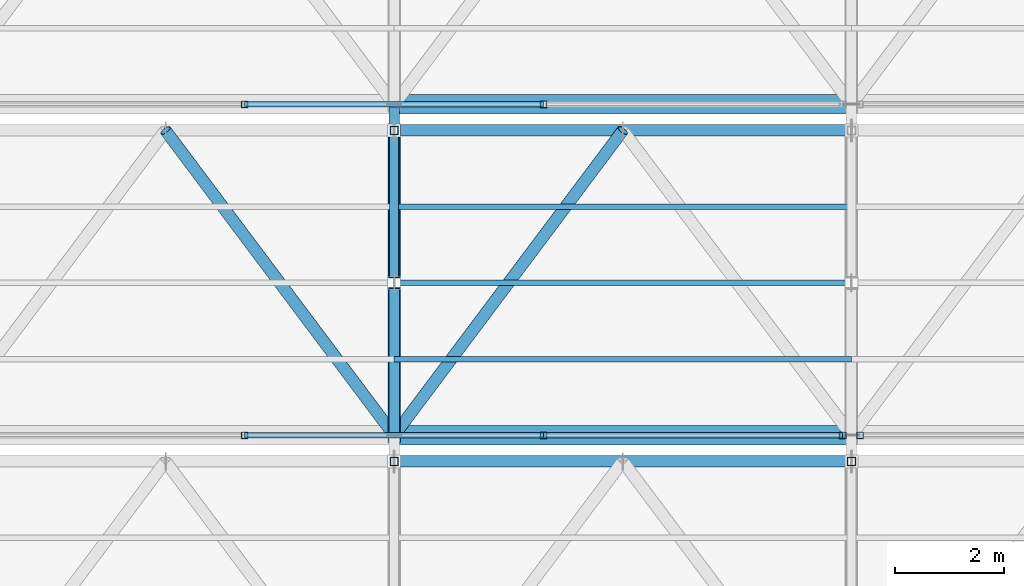
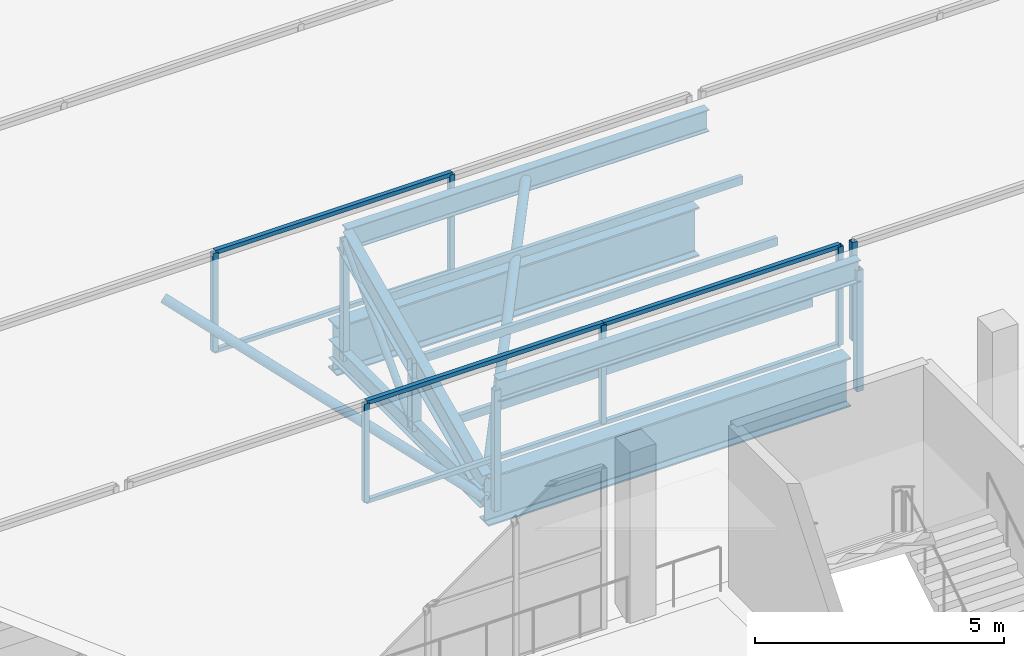
# One storey, part 83 of 217: 26 members, 2 beams, 3 elements without a shape of their own.
"""IFC4 building model written with IfcOpenShell, lengths in metres."""

import ifcopenshell
import ifcopenshell.guid

model = None  # the IFC model being written
_history = None  # IfcOwnerHistory: only IFC2X3 demands one
_inside = {}  # id of a spatial element -> (the spatial element, [elements in it])
_under = {}  # id of a project, library or spatial element -> (it, [spatial elements below it])
_declared = {}  # id of a project -> (the project, [libraries it declares])
_typed = {}  # id of a type object -> (the type object, [elements of that type])
_made_of = {}  # id of a material, layer set ... -> (it, [elements and type objects made of it])


def new_model(schema):
    """Start an empty IFC model of exactly this schema.

    Asked for "IFC4X3", IfcOpenShell would pick the latest addendum, in which some entities
    have other attributes; the version numbers below select the first issue.
    IFC2X3 requires an IfcOwnerHistory on every rooted entity: one is made here for all.
    """
    global model, _history
    if schema == "IFC4X3":
        model = ifcopenshell.file(schema_version=(4, 3, 0, 0))
    else:
        model = ifcopenshell.file(schema=schema)
    _inside.clear()
    _under.clear()
    _declared.clear()
    _typed.clear()
    _made_of.clear()
    _history = None
    if model.schema == "IFC2X3":
        org = make("IfcOrganization", Name="unknown")
        user = make(
            "IfcPersonAndOrganization",
            ThePerson=make("IfcPerson", FamilyName="unknown"),
            TheOrganization=org,
        )
        app = make(
            "IfcApplication",
            ApplicationDeveloper=org,
            Version="unknown",
            ApplicationFullName="unknown",
            ApplicationIdentifier="unknown",
        )
        _history = make(
            "IfcOwnerHistory",
            OwningUser=user,
            OwningApplication=app,
            ChangeAction="ADDED",
            CreationDate=0,
        )
    return model


def make(cls, **values):
    """One entity of the class cls with the attributes given. An attribute that is None is left unset."""
    return model.create_entity(
        cls, **{name: value for name, value in values.items() if value is not None}
    )


def rooted(cls, **values):
    """An entity with a GlobalId (a new one), such as an element, a storey or a relation."""
    return make(cls, GlobalId=ifcopenshell.guid.new(), OwnerHistory=_history, **values)


def si_unit(unit_type, name, prefix=None):
    """IfcSIUnit, for example si_unit("LENGTHUNIT", "METRE", prefix="MILLI")."""
    return make("IfcSIUnit", UnitType=unit_type, Prefix=prefix, Name=name)


def assignment(units):
    """IfcUnitAssignment: the units of a project."""
    return None if units is None else make("IfcUnitAssignment", Units=units)


def point(xyz):
    """IfcCartesianPoint."""
    return None if xyz is None else make("IfcCartesianPoint", Coordinates=xyz)


def direction(xyz):
    """IfcDirection."""
    return None if xyz is None else make("IfcDirection", DirectionRatios=xyz)


def frame(location, z_axis=None, x_axis=None):
    """IfcAxis2Placement3D, a coordinate frame: its origin and axes. An axis left out is left unset."""
    return make(
        "IfcAxis2Placement3D",
        Location=point(location),
        Axis=direction(z_axis),
        RefDirection=direction(x_axis),
    )


def frame_2d(location, x_axis=None):
    """IfcAxis2Placement2D, a coordinate frame in the plane: its origin and x axis."""
    return make(
        "IfcAxis2Placement2D", Location=point(location), RefDirection=direction(x_axis)
    )


def origin():
    """The frame at (0, 0, 0) with its axes left unset."""
    return frame((0.0, 0.0, 0.0))


def origin_2d():
    """The frame at (0, 0) in the plane with its x axis left unset."""
    return frame_2d((0.0, 0.0))


def place(relative_to, where):
    """IfcLocalPlacement: puts the frame where relative to a parent placement (None: the world)."""
    return make(
        "IfcLocalPlacement", PlacementRelTo=relative_to, RelativePlacement=where
    )


def context(
    kind, dimensions, precision=None, world=None, true_north=None, identifier=None
):
    """IfcGeometricRepresentationContext, for example the 3D "Model" context."""
    return make(
        "IfcGeometricRepresentationContext",
        ContextIdentifier=identifier,
        ContextType=kind,
        CoordinateSpaceDimension=dimensions,
        Precision=precision,
        WorldCoordinateSystem=world,
        TrueNorth=true_north,
    )


def subcontext(parent, identifier, kind, view, scale=None):
    """IfcGeometricRepresentationSubContext, for example "Body" below "Model"."""
    return make(
        "IfcGeometricRepresentationSubContext",
        ContextIdentifier=identifier,
        ContextType=kind,
        ParentContext=parent,
        TargetScale=scale,
        TargetView=view,
    )


def project(units=None, contexts=None):
    """IfcProject with its units and contexts."""
    return rooted(
        "IfcProject",
        Name="project",
        RepresentationContexts=contexts,
        UnitsInContext=assignment(units),
    )


def spatial(cls, under=None, at=None, **own):
    """A site, building, storey or space (cls), placed at a placement, below another one or the project."""
    s = rooted(cls, ObjectPlacement=at, **own)
    if under is not None:
        _under.setdefault(under.id(), (under, []))[1].append(s)
    return s


def profile(cls, at=None, kind="AREA", **sizes):
    """A parametric profile (cls). Its sizes go by their IFC names, for example OverallWidth=200.0."""
    return make(cls, ProfileType=kind, Position=at, **sizes)


def hollow_rectangle(**sizes):
    """IfcRectangleHollowProfileDef."""
    return profile("IfcRectangleHollowProfileDef", **sizes)


def hollow_circle(**sizes):
    """IfcCircleHollowProfileDef."""
    return profile("IfcCircleHollowProfileDef", **sizes)


def i_section(**sizes):
    """IfcIShapeProfileDef."""
    return profile("IfcIShapeProfileDef", **sizes)


def extrude(swept, where, along, depth):
    """IfcExtrudedAreaSolid: the profile swept, set in the frame where, extruded along a direction by depth."""
    return make(
        "IfcExtrudedAreaSolid",
        SweptArea=swept,
        Position=where,
        ExtrudedDirection=direction(along),
        Depth=depth,
    )


def shape(context_of_items, identifier, shape_type, items):
    """IfcShapeRepresentation: the items that make up one representation, for example the "Body"."""
    return make(
        "IfcShapeRepresentation",
        ContextOfItems=context_of_items,
        RepresentationIdentifier=identifier,
        RepresentationType=shape_type,
        Items=items,
    )


def material(Name=None, Category=None):
    """IfcMaterial."""
    return make("IfcMaterial", Name=Name, Category=Category)


def material_profile(
    of_material, cross_section, Name=None, Category=None, Priority=None
):
    """IfcMaterialProfile: a cross section and its material."""
    return make(
        "IfcMaterialProfile",
        Name=Name,
        Material=of_material,
        Profile=cross_section,
        Priority=Priority,
        Category=Category,
    )


def profile_set(profiles, Name=None, composite=None):
    """IfcMaterialProfileSet."""
    return make(
        "IfcMaterialProfileSet",
        Name=Name,
        MaterialProfiles=profiles,
        CompositeProfile=composite,
    )


def made_of(thing, what):
    """Note that an element or type object is made of a material, layer set ...; save() writes the relation."""
    if what is not None:
        _made_of.setdefault(what.id(), (what, []))[1].append(thing)
    return thing


def type_object(cls, material=None, **own):
    """A type object (cls), such as IfcWallType, which elements share."""
    return made_of(rooted(cls, **own), material)


def element(
    cls,
    number,
    at=None,
    inside=None,
    cuts=None,
    type_object=None,
    material=None,
    context=None,
    identifier="Body",
    shape_type=None,
    held_by="IfcProductDefinitionShape",
    body=None,
    shapes=None,
    **own,
):
    """One element of the class cls, such as IfcWall. Its Tag is "e" and its number.

    at: its placement. inside: the storey or other place that contains it. cuts: it is an
    opening in that element (IfcRelVoidsElement). A single representation is given by context,
    identifier, shape_type and body (its items); several are given by shapes. held_by: the class
    of the entity that holds the representations. save() writes the other relations.
    """
    e = rooted(cls, Tag="e%d" % number, ObjectPlacement=at, **own)
    if body is not None:
        shapes = [shape(context, identifier, shape_type, body)]
    if shapes is not None:
        e.Representation = make(held_by, Representations=shapes)
    if inside is not None:
        _inside.setdefault(inside.id(), (inside, []))[1].append(e)
    if cuts is not None:
        rooted(
            "IfcRelVoidsElement", RelatingBuildingElement=cuts, RelatedOpeningElement=e
        )
    if type_object is not None:
        _typed.setdefault(type_object.id(), (type_object, []))[1].append(e)
    return made_of(e, material)


def aggregate(whole, parts):
    """IfcRelAggregates: a whole, such as a stair, and the parts it consists of."""
    return rooted("IfcRelAggregates", RelatingObject=whole, RelatedObjects=parts)


def save(model, path):
    """Write the relations noted so far, then the file.

    IfcRelAggregates (storeys below a building ...), IfcRelContainedInSpatialStructure (elements
    in a storey), IfcRelDefinesByType, IfcRelAssociatesMaterial and IfcRelDeclares: one each for
    every whole, place, type object, material and project.
    """
    for whole, parts in _under.values():
        aggregate(whole, parts)
    for where, things in _inside.values():
        rooted(
            "IfcRelContainedInSpatialStructure",
            RelatedElements=things,
            RelatingStructure=where,
        )
    for kind, things in _typed.values():
        rooted("IfcRelDefinesByType", RelatedObjects=things, RelatingType=kind)
    for what, things in _made_of.values():
        rooted("IfcRelAssociatesMaterial", RelatedObjects=things, RelatingMaterial=what)
    for by, libraries in _declared.values():
        rooted("IfcRelDeclares", RelatingContext=by, RelatedDefinitions=libraries)
    model.write(path)


model = new_model("IFC4")

# Units and contexts
model_context = context("Model", 3, precision=1e-05, world=origin(), true_north=direction((0.0, 1.0)))
body_context = subcontext(model_context, "Body", "Model", "MODEL_VIEW")
ifc_project = project(units=[si_unit("LENGTHUNIT", "METRE"), si_unit("AREAUNIT", "SQUARE_METRE"), si_unit("VOLUMEUNIT", "CUBIC_METRE"), si_unit("PLANEANGLEUNIT", "RADIAN"), si_unit("MASSUNIT", "GRAM", prefix="KILO")], contexts=[model_context])

# Site, building, storey
site_placement = place(None, origin())
site = spatial("IfcSite", under=ifc_project, at=site_placement, CompositionType="ELEMENT")
building_placement = place(site_placement, origin())
building = spatial("IfcBuilding", under=site, at=building_placement, Name="Zuvorla Pavilion Media Centre", CompositionType="ELEMENT")
storey_placement = place(building_placement, frame((0.0, 0.0, 9.60009765625)))
storey = spatial("IfcBuildingStorey", under=building, at=storey_placement, Name="L02", CompositionType="ELEMENT", Elevation=9.60009765625)

# Beams
ifc_material_1 = material(Name="Steel S355", Category="steel")
ifc_material_profile_1 = material_profile(ifc_material_1, i_section(OverallWidth=0.360107421875, OverallDepth=1.199951171875, WebThickness=0.02001953125, FlangeThickness=0.0380859375, FilletRadius=0.02392578125, at=origin_2d()), Name="PG 1200x360x38")
ifc_profile_set_1 = profile_set([ifc_material_profile_1], Name="Steel S355")
beam_type = type_object("IfcBeamType", Name="BM-PG1200", PredefinedType="BEAM", material=ifc_profile_set_1)
for number, where, z_axis, x_axis, name in (
    (1, (92.0, 95.679931640625, -0.88818359375), (1.0, 0.0, 0.0), (0.0, 1.0, 0.0), "L02 beam B01 1786"),
    (2, (92.0, 101.760009765625, -0.88818359375), (1.0, 0.0, 0.0), (0.0, 1.0, 0.0), "L02 beam B01 1792"),
):
    element("IfcBeam", number, at=place(storey_placement, frame(where, z_axis=z_axis, x_axis=x_axis)), inside=storey, type_object=beam_type, Name=name, PredefinedType="BEAM", context=body_context, shape_type="SweptSolid", body=[
        extrude(i_section(OverallWidth=0.360107421875, OverallDepth=1.199951171875, WebThickness=0.02001953125, FlangeThickness=0.0380859375, FilletRadius=0.02392578125, at=origin_2d()), origin(), (0.0, 0.0, 1.0), 8.39990234375),
    ])

# Curtain wall, members
ifc_material_2 = material(Name="Unitised anodised aluminium and solar glass curtain wall", Category="aluminium")
curtain_wall_type = type_object("IfcCurtainWallType", Name="CW-SYS-88", PredefinedType="USERDEFINED", material=ifc_material_2)
curtain_wall_1_placement = place(storey_placement, origin())
curtain_wall_1 = element("IfcCurtainWall", 3, at=curtain_wall_1_placement, inside=storey, type_object=curtain_wall_type, Name="L02 curtain wall CW88 201", ObjectType="CURTAIN WALL", PredefinedType="USERDEFINED")
ifc_material_3 = material(Name="Anodised aluminium 6063-T6", Category="aluminium")
ifc_material_profile_2 = material_profile(ifc_material_3, hollow_rectangle(XDim=0.1201171875, YDim=0.1201171875, WallThickness=0.0048828125, at=origin_2d()), Name="ALU MULL 120x120")
ifc_profile_set_2 = profile_set([ifc_material_profile_2], Name="Anodised aluminium 6063-T6")
member_type_1 = type_object("IfcMemberType", Name="CW-MULL-120", PredefinedType="MULLION", material=ifc_profile_set_2)
member_1_placement = place(storey_placement, frame((89.25341796875, 95.679931640625, 0.0), z_axis=(0.0, 0.0, 1.0), x_axis=(1.0, 0.0, 0.0)))
member_1 = element("IfcMember", 4, at=member_1_placement, type_object=member_type_1, Name="CW88 mullion 2", PredefinedType="MULLION", context=body_context, shape_type="SweptSolid", body=[
    extrude(hollow_rectangle(XDim=0.1201171875, YDim=0.1201171875, WallThickness=0.0048828125, at=origin_2d()), origin(), (0.0, 0.0, 1.0), 2.419921875),
])
member_2_placement = place(storey_placement, frame((94.74658203125, 95.679931640625, 0.0), z_axis=(0.0, 0.0, 1.0), x_axis=(1.0, 0.0, 0.0)))
member_2 = element("IfcMember", 5, at=member_2_placement, type_object=member_type_1, Name="CW88 mullion 3", PredefinedType="MULLION", context=body_context, shape_type="SweptSolid", body=[
    extrude(hollow_rectangle(XDim=0.1201171875, YDim=0.1201171875, WallThickness=0.0048828125, at=origin_2d()), origin(), (0.0, 0.0, 1.0), 2.419921875),
])
member_3_placement = place(storey_placement, frame((100.239990234375, 95.679931640625, 0.0), z_axis=(0.0, 0.0, 1.0), x_axis=(1.0, 0.0, 0.0)))
member_3 = element("IfcMember", 6, at=member_3_placement, type_object=member_type_1, Name="CW88 mullion 4", PredefinedType="MULLION", context=body_context, shape_type="SweptSolid", body=[
    extrude(hollow_rectangle(XDim=0.1201171875, YDim=0.1201171875, WallThickness=0.0048828125, at=origin_2d()), origin(), (0.0, 0.0, 1.0), 2.419921875),
])

# Curtain wall, member
curtain_wall_2_placement = place(storey_placement, origin())
curtain_wall_2 = element("IfcCurtainWall", 7, at=curtain_wall_2_placement, inside=storey, type_object=curtain_wall_type, Name="L02 curtain wall CW88 202", ObjectType="CURTAIN WALL", PredefinedType="USERDEFINED")
member_4_placement = place(storey_placement, frame((100.56005859375, 95.679931640625, 0.0), z_axis=(0.0, 0.0, 1.0), x_axis=(1.0, 0.0, 0.0)))
member_4 = element("IfcMember", 8, at=member_4_placement, type_object=member_type_1, Name="CW88 mullion 1", PredefinedType="MULLION", context=body_context, shape_type="SweptSolid", body=[
    extrude(hollow_rectangle(XDim=0.1201171875, YDim=0.1201171875, WallThickness=0.0048828125, at=origin_2d()), origin(), (0.0, 0.0, 1.0), 2.419921875),
])
aggregate(curtain_wall_2, [member_4])

# Curtain wall, members
curtain_wall_3_placement = place(storey_placement, origin())
curtain_wall_3 = element("IfcCurtainWall", 9, at=curtain_wall_3_placement, inside=storey, type_object=curtain_wall_type, Name="L02 curtain wall CW88 205", ObjectType="CURTAIN WALL", PredefinedType="USERDEFINED")
member_5_placement = place(storey_placement, frame((89.25341796875, 101.760009765625, 0.0), z_axis=(0.0, 0.0, 1.0), x_axis=(1.0, 0.0, 0.0)))
member_5 = element("IfcMember", 10, at=member_5_placement, type_object=member_type_1, Name="CW88 mullion 2", PredefinedType="MULLION", context=body_context, shape_type="SweptSolid", body=[
    extrude(hollow_rectangle(XDim=0.1201171875, YDim=0.1201171875, WallThickness=0.0048828125, at=origin_2d()), origin(), (0.0, 0.0, 1.0), 2.419921875),
])
member_6_placement = place(storey_placement, frame((94.74658203125, 101.760009765625, 0.0), z_axis=(0.0, 0.0, 1.0), x_axis=(1.0, 0.0, 0.0)))
member_6 = element("IfcMember", 11, at=member_6_placement, type_object=member_type_1, Name="CW88 mullion 3", PredefinedType="MULLION", context=body_context, shape_type="SweptSolid", body=[
    extrude(hollow_rectangle(XDim=0.1201171875, YDim=0.1201171875, WallThickness=0.0048828125, at=origin_2d()), origin(), (0.0, 0.0, 1.0), 2.419921875),
])

# Member
ifc_material_profile_3 = material_profile(ifc_material_3, hollow_rectangle(XDim=0.10009765625, YDim=0.10009765625, WallThickness=0.00439453125, at=origin_2d()), Name="ALU TRAN 100x100")
ifc_profile_set_3 = profile_set([ifc_material_profile_3], Name="Anodised aluminium 6063-T6")
member_type_2 = type_object("IfcMemberType", Name="CW-TRAN-100", PredefinedType="USERDEFINED", material=ifc_profile_set_3)
member_7_placement = place(storey_placement, frame((89.25341796875, 95.679931640625, 0.0), z_axis=(1.0, 0.0, 0.0), x_axis=(0.0, 1.0, 0.0)))
member_7 = element("IfcMember", 12, at=member_7_placement, type_object=member_type_2, Name="CW88 transom 2.1", ObjectType="TRANSOM", PredefinedType="USERDEFINED", context=body_context, shape_type="SweptSolid", body=[
    extrude(hollow_rectangle(XDim=0.10009765625, YDim=0.10009765625, WallThickness=0.00439453125, at=origin_2d()), origin(), (0.0, 0.0, 1.0), 5.4931640625),
])

member_8_placement = place(storey_placement, frame((89.25341796875, 95.679931640625, 2.419921875), z_axis=(1.0, 0.0, 0.0), x_axis=(0.0, 1.0, 0.0)))
member_8 = element("IfcMember", 13, at=member_8_placement, type_object=member_type_2, Name="CW88 transom 2.2", ObjectType="TRANSOM", PredefinedType="USERDEFINED", context=body_context, shape_type="SweptSolid", body=[
    extrude(hollow_rectangle(XDim=0.10009765625, YDim=0.10009765625, WallThickness=0.00439453125, at=origin_2d()), origin(), (0.0, 0.0, 1.0), 5.4931640625),
])

member_9_placement = place(storey_placement, frame((94.74658203125, 95.679931640625, 0.0), z_axis=(1.0, 0.0, 0.0), x_axis=(0.0, 1.0, 0.0)))
member_9 = element("IfcMember", 14, at=member_9_placement, type_object=member_type_2, Name="CW88 transom 3.1", ObjectType="TRANSOM", PredefinedType="USERDEFINED", context=body_context, shape_type="SweptSolid", body=[
    extrude(hollow_rectangle(XDim=0.10009765625, YDim=0.10009765625, WallThickness=0.00439453125, at=origin_2d()), origin(), (0.0, 0.0, 1.0), 5.493408203125),
])

member_10_placement = place(storey_placement, frame((94.74658203125, 95.679931640625, 2.419921875), z_axis=(1.0, 0.0, 0.0), x_axis=(0.0, 1.0, 0.0)))
member_10 = element("IfcMember", 15, at=member_10_placement, type_object=member_type_2, Name="CW88 transom 3.2", ObjectType="TRANSOM", PredefinedType="USERDEFINED", context=body_context, shape_type="SweptSolid", body=[
    extrude(hollow_rectangle(XDim=0.10009765625, YDim=0.10009765625, WallThickness=0.00439453125, at=origin_2d()), origin(), (0.0, 0.0, 1.0), 5.493408203125),
])

aggregate(curtain_wall_1, [member_1, member_2, member_3, member_7, member_8, member_9, member_10])

member_11_placement = place(storey_placement, frame((89.25341796875, 101.760009765625, 0.0), z_axis=(1.0, 0.0, 0.0), x_axis=(0.0, 1.0, 0.0)))
member_11 = element("IfcMember", 16, at=member_11_placement, type_object=member_type_2, Name="CW88 transom 2.1", ObjectType="TRANSOM", PredefinedType="USERDEFINED", context=body_context, shape_type="SweptSolid", body=[
    extrude(hollow_rectangle(XDim=0.10009765625, YDim=0.10009765625, WallThickness=0.00439453125, at=origin_2d()), origin(), (0.0, 0.0, 1.0), 5.4931640625),
])

member_12_placement = place(storey_placement, frame((89.25341796875, 101.760009765625, 2.419921875), z_axis=(1.0, 0.0, 0.0), x_axis=(0.0, 1.0, 0.0)))
member_12 = element("IfcMember", 17, at=member_12_placement, type_object=member_type_2, Name="CW88 transom 2.2", ObjectType="TRANSOM", PredefinedType="USERDEFINED", context=body_context, shape_type="SweptSolid", body=[
    extrude(hollow_rectangle(XDim=0.10009765625, YDim=0.10009765625, WallThickness=0.00439453125, at=origin_2d()), origin(), (0.0, 0.0, 1.0), 5.4931640625),
])

aggregate(curtain_wall_3, [member_5, member_6, member_11, member_12])

# Members
ifc_material_profile_4 = material_profile(ifc_material_1, hollow_circle(Radius=0.084228515625, WallThickness=0.008056640625, at=origin_2d()), Name="CHS 168.3x8")
ifc_profile_set_4 = profile_set([ifc_material_profile_4], Name="Steel S355")
member_type_3 = type_object("IfcMemberType", Name="MEM-BRC-CHS168", PredefinedType="BRACE", material=ifc_profile_set_4)
member_13_placement = place(storey_placement, frame((92.0, 98.47998046875, -0.880126953125), z_axis=(0.0, 0.68676242614, 0.726881950555), x_axis=(-1.0, 0.0, 0.0)))
element("IfcMember", 18, at=member_13_placement, inside=storey, type_object=member_type_3, Name="L02 diagonal brace TB03 144", PredefinedType="BRACE", context=body_context, shape_type="SweptSolid", body=[
    extrude(hollow_circle(Radius=0.084228515625, WallThickness=0.008056640625, at=origin_2d()), origin(), (0.0, 0.0, 1.0), 4.0771484375),
])
ifc_material_profile_5 = material_profile(ifc_material_1, hollow_circle(Radius=0.109619140625, WallThickness=0.010009765625, at=origin_2d()), Name="CHS 219.1x10")
ifc_profile_set_5 = profile_set([ifc_material_profile_5], Name="Steel S355")
member_type_4 = type_object("IfcMemberType", Name="MEM-BRC-CHS219", PredefinedType="BRACE", material=ifc_profile_set_5)
for number, where, z_axis, x_axis, name in (
    (19, (87.800048828125, 101.280029296875, 2.08349609375), (0.552511596944, -0.736703540702, -0.389870271191), (0.800008370399, 0.599988839305, 0.0), "L02 diagonal brace TB02 185"),
    (20, (92.0, 95.679931640625, -0.880126953125), (0.552511596944, 0.736703540702, 0.389870271191), (-0.800008370399, 0.599988839305, 0.0), "L02 diagonal brace TB02 190"),
):
    element("IfcMember", number, at=place(storey_placement, frame(where, z_axis=z_axis, x_axis=x_axis)), inside=storey, type_object=member_type_4, Name=name, PredefinedType="BRACE", context=body_context, shape_type="SweptSolid", body=[
        extrude(hollow_circle(Radius=0.109619140625, WallThickness=0.010009765625, at=origin_2d()), origin(), (0.0, 0.0, 1.0), 7.6015625),
    ])
ifc_material_profile_6 = material_profile(ifc_material_1, i_section(OverallWidth=0.19140625, OverallDepth=0.4599609375, WebThickness=0.010009765625, FlangeThickness=0.01611328125, FilletRadius=0.01025390625, at=origin_2d()), Name="UB 457x191x82")
ifc_profile_set_6 = profile_set([ifc_material_profile_6], Name="Steel S355")
member_type_5 = type_object("IfcMemberType", Name="MEM-CHD-UB457", PredefinedType="CHORD", material=ifc_profile_set_6)
member_14_placement = place(storey_placement, frame((92.0, 95.679931640625, -0.880126953125), z_axis=(0.0, 1.0, 0.0), x_axis=(-1.0, 0.0, 0.0)))
element("IfcMember", 21, at=member_14_placement, inside=storey, type_object=member_type_5, Name="L02 chord TC03 141", PredefinedType="CHORD", context=body_context, shape_type="SweptSolid", body=[
    extrude(i_section(OverallWidth=0.19140625, OverallDepth=0.4599609375, WebThickness=0.010009765625, FlangeThickness=0.01611328125, FilletRadius=0.01025390625, at=origin_2d()), origin(), (0.0, 0.0, 1.0), 6.080078125),
])
ifc_material_profile_7 = material_profile(ifc_material_1, i_section(OverallWidth=0.2099609375, OverallDepth=0.53662109375, WebThickness=0.0107421875, FlangeThickness=0.017333984375, FilletRadius=0.0126953125, at=origin_2d()), Name="UB 533x210x101")
ifc_profile_set_7 = profile_set([ifc_material_profile_7], Name="Steel S355")
member_type_6 = type_object("IfcMemberType", Name="MEM-CHD-UB533", PredefinedType="CHORD", material=ifc_profile_set_7)
for number, where, z_axis, x_axis, name in (
    (22, (92.0, 95.199951171875, 2.08349609375), (1.0, 0.0, 0.0), (0.0, 1.0, 0.0), "L02 chord TC02 96"),
    (23, (92.0, 101.280029296875, 2.08349609375), (1.0, 0.0, 0.0), (0.0, 1.0, 0.0), "L02 chord TC02 189"),
):
    element("IfcMember", number, at=place(storey_placement, frame(where, z_axis=z_axis, x_axis=x_axis)), inside=storey, type_object=member_type_6, Name=name, PredefinedType="CHORD", context=body_context, shape_type="SweptSolid", body=[
        extrude(i_section(OverallWidth=0.2099609375, OverallDepth=0.53662109375, WebThickness=0.0107421875, FlangeThickness=0.017333984375, FilletRadius=0.0126953125, at=origin_2d()), origin(), (0.0, 0.0, 1.0), 8.39990234375),
    ])
ifc_material_profile_8 = material_profile(ifc_material_1, i_section(OverallWidth=0.22900390625, OverallDepth=0.6123046875, WebThickness=0.011962890625, FlangeThickness=0.01953125, FilletRadius=0.0126953125, at=origin_2d()), Name="UB 610x229x125")
ifc_profile_set_8 = profile_set([ifc_material_profile_8], Name="Steel S355")
member_type_7 = type_object("IfcMemberType", Name="MEM-CHD-UB610", PredefinedType="CHORD", material=ifc_profile_set_8)
member_15_placement = place(storey_placement, frame((92.0, 95.679931640625, -0.5166015625), z_axis=(0.0, 0.907005731366, 0.421118277053), x_axis=(-1.0, 0.0, 0.0)))
element("IfcMember", 24, at=member_15_placement, inside=storey, type_object=member_type_7, Name="L02 chord TC01 142", PredefinedType="CHORD", context=body_context, shape_type="SweptSolid", body=[
    extrude(i_section(OverallWidth=0.22900390625, OverallDepth=0.6123046875, WebThickness=0.011962890625, FlangeThickness=0.01953125, FilletRadius=0.0126953125, at=origin_2d()), origin(), (0.0, 0.0, 1.0), 6.17431640625),
])
ifc_material_profile_9 = material_profile(ifc_material_1, hollow_rectangle(XDim=0.10009765625, YDim=0.199951171875, WallThickness=0.008056640625, at=origin_2d()), Name="RHS 200x100x8")
ifc_profile_set_9 = profile_set([ifc_material_profile_9], Name="Steel S355")
member_type_8 = type_object("IfcMemberType", Name="MEM-PUR-RHS200", PredefinedType="PURLIN", material=ifc_profile_set_9)
for number, where, z_axis, x_axis, name in (
    (25, (92.0, 97.080078125, 0.133544921875), (1.0, 0.0, 0.0), (0.0, 1.0, 0.0), "L02 purlin PR01 192"),
    (26, (92.0, 98.47998046875, 0.783447265625), (1.0, 0.0, 0.0), (0.0, 1.0, 0.0), "L02 purlin PR01 193"),
    (27, (92.0, 99.8798828125, 1.43359375), (1.0, 0.0, 0.0), (0.0, 1.0, 0.0), "L02 purlin PR01 194"),
):
    element("IfcMember", number, at=place(storey_placement, frame(where, z_axis=z_axis, x_axis=x_axis)), inside=storey, type_object=member_type_8, Name=name, PredefinedType="PURLIN", context=body_context, shape_type="SweptSolid", body=[
        extrude(hollow_rectangle(XDim=0.10009765625, YDim=0.199951171875, WallThickness=0.008056640625, at=origin_2d()), origin(), (0.0, 0.0, 1.0), 8.39990234375),
    ])
ifc_material_profile_10 = material_profile(ifc_material_1, hollow_rectangle(XDim=0.14990234375, YDim=0.14990234375, WallThickness=0.008056640625, at=origin_2d()), Name="SHS 150x150x8")
ifc_profile_set_10 = profile_set([ifc_material_profile_10], Name="Steel S355")
member_type_9 = type_object("IfcMemberType", Name="MEM-STR-SHS150", PredefinedType="STRUT", material=ifc_profile_set_10)
for number, where, z_axis, x_axis, name in (
    (28, (92.0, 95.199951171875, -0.880126953125), (0.0, 0.0, 1.0), (1.0, 0.0, 0.0), "L02 vertical strut TS01 50"),
    (29, (100.39990234375, 95.199951171875, -0.880126953125), (0.0, 0.0, 1.0), (1.0, 0.0, 0.0), "L02 vertical strut TS01 55"),
    (30, (92.0, 101.280029296875, -0.880126953125), (0.0, 0.0, 1.0), (1.0, 0.0, 0.0), "L02 vertical strut TS01 143"),
):
    element("IfcMember", number, at=place(storey_placement, frame(where, z_axis=z_axis, x_axis=x_axis)), inside=storey, type_object=member_type_9, Name=name, PredefinedType="STRUT", context=body_context, shape_type="SweptSolid", body=[
        extrude(hollow_rectangle(XDim=0.14990234375, YDim=0.14990234375, WallThickness=0.008056640625, at=origin_2d()), origin(), (0.0, 0.0, 1.0), 2.963623046875),
    ])
ifc_material_profile_11 = material_profile(ifc_material_1, i_section(OverallWidth=0.205810546875, OverallDepth=0.209716796875, WebThickness=0.009521484375, FlangeThickness=0.01416015625, FilletRadius=0.01025390625, at=origin_2d()), Name="UC 203x203x60")
ifc_profile_set_11 = profile_set([ifc_material_profile_11], Name="Steel S355")
member_type_10 = type_object("IfcMemberType", Name="MEM-STR-UC203", PredefinedType="STRUT", material=ifc_profile_set_11)
member_16_placement = place(storey_placement, frame((92.0, 98.47998046875, -0.880126953125), z_axis=(0.0, 0.0, 1.0), x_axis=(1.0, 0.0, 0.0)))
element("IfcMember", 31, at=member_16_placement, inside=storey, type_object=member_type_10, Name="L02 vertical strut TS02 145", PredefinedType="STRUT", context=body_context, shape_type="SweptSolid", body=[
    extrude(i_section(OverallWidth=0.205810546875, OverallDepth=0.209716796875, WebThickness=0.009521484375, FlangeThickness=0.01416015625, FilletRadius=0.01025390625, at=origin_2d()), origin(), (0.0, 0.0, 1.0), 1.66357421875),
])

save(model, "model.ifc")
